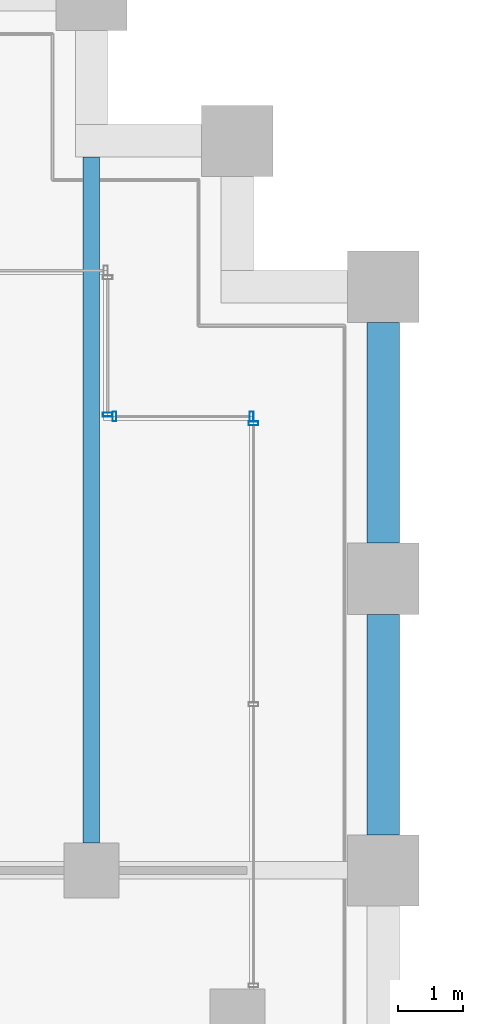
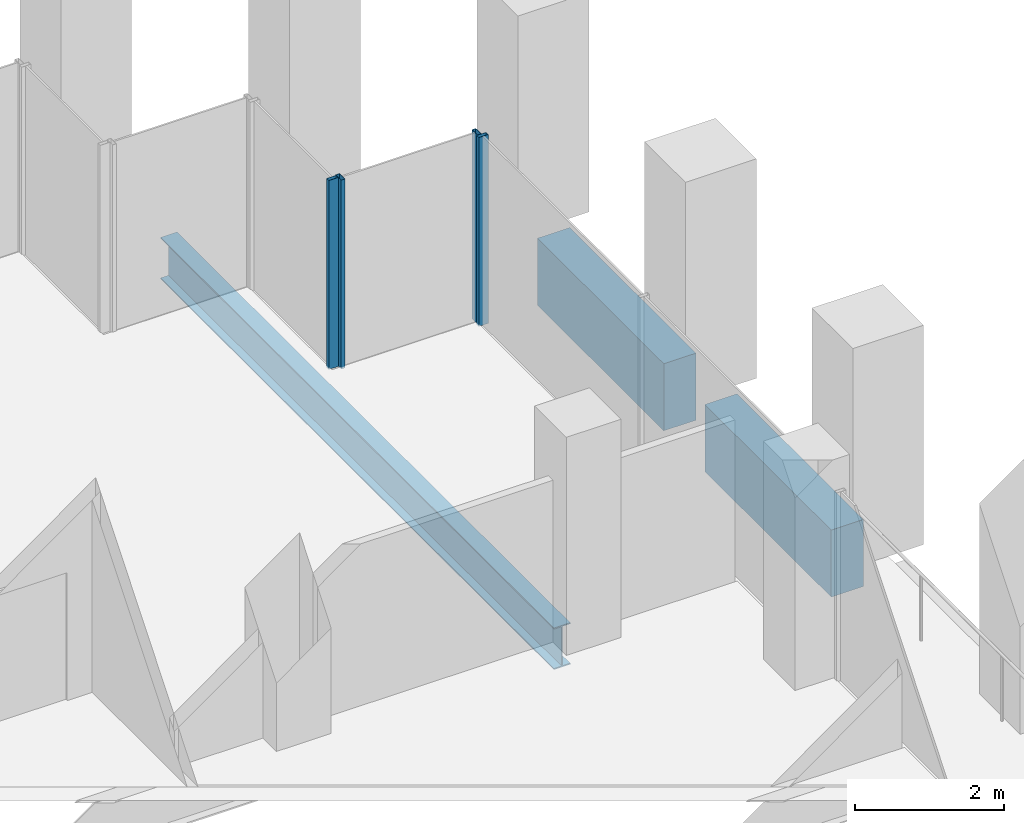
# One storey, part 31 of 56: 4 members, 3 beams, 3 elements without a shape of their own.
"""IFC4 building model written with IfcOpenShell, lengths in metres."""

from ifc_helpers import new_model, si_unit, direction, frame, origin, origin_2d, place, context, subcontext, project, spatial, rectangle, hollow_rectangle, i_section, extrude, material, material_profile, profile_set, type_object, element, aggregate, save


model = new_model("IFC4")

# Units and contexts
model_context = context("Model", 3, precision=1e-05, world=origin(), true_north=direction((0.0, 1.0)))
body_context = subcontext(model_context, "Body", "Model", "MODEL_VIEW")
ifc_project = project(units=[si_unit("LENGTHUNIT", "METRE"), si_unit("AREAUNIT", "SQUARE_METRE"), si_unit("VOLUMEUNIT", "CUBIC_METRE"), si_unit("PLANEANGLEUNIT", "RADIAN"), si_unit("MASSUNIT", "GRAM", prefix="KILO")], contexts=[model_context])

# Site, building, storey
site_placement = place(None, origin())
site = spatial("IfcSite", under=ifc_project, at=site_placement, CompositionType="ELEMENT")
building_placement = place(site_placement, origin())
building = spatial("IfcBuilding", under=site, at=building_placement, Name="Altepetl Exchange Towers", CompositionType="ELEMENT")
storey_placement = place(building_placement, frame((0.0, 0.0, 54.60009765625)))
storey = spatial("IfcBuildingStorey", under=building, at=storey_placement, Name="L12", CompositionType="ELEMENT", Elevation=54.60009765625)

# Beam
ifc_material_1 = material(Name="Steel S355", Category="steel")
ifc_material_profile_1 = material_profile(ifc_material_1, i_section(OverallWidth=0.25390625, OverallDepth=0.68408203125, WebThickness=0.012451171875, FlangeThickness=0.018798828125, at=origin_2d()), Name="W27X94")
ifc_profile_set_1 = profile_set([ifc_material_profile_1], Name="Steel S355")
beam_type_1 = type_object("IfcBeamType", Name="Floor beam W27X94", PredefinedType="BEAM", material=ifc_profile_set_1)
beam_placement = place(storey_placement, frame((67.5, 58.925048828125, -0.4921875), z_axis=(0.0, 1.0, 0.0), x_axis=(-1.0, 0.0, 0.0)))
element("IfcBeam", 1, at=beam_placement, inside=storey, type_object=beam_type_1, Name="bm:A:L12:005", PredefinedType="BEAM", context=body_context, shape_type="SweptSolid", body=[
    extrude(i_section(OverallWidth=0.25390625, OverallDepth=0.68408203125, WebThickness=0.012451171875, FlangeThickness=0.018798828125, at=origin_2d()), origin(), (0.0, 0.0, 1.0), 10.574951171875),
])

# Curtain wall, member
ifc_material_2 = material(Name="Aluminium 6063-T6 glazing", Category="aluminium")
curtain_wall_type = type_object("IfcCurtainWallType", Name="Loggia glazing system", PredefinedType="NOTDEFINED", material=ifc_material_2)
curtain_wall_1_placement = place(storey_placement, origin())
curtain_wall_1 = element("IfcCurtainWall", 2, at=curtain_wall_1_placement, inside=storey, type_object=curtain_wall_type, Name="CW1 run", PredefinedType="NOTDEFINED")
ifc_material_3 = material(Name="Aluminium 6063-T6", Category="aluminium")
ifc_material_profile_2 = material_profile(ifc_material_3, hollow_rectangle(XDim=0.06005859375, YDim=0.14990234375, WallThickness=0.0029296875, at=origin_2d()), Name="Mullion 60x150 aluminium")
ifc_profile_set_2 = profile_set([ifc_material_profile_2], Name="Aluminium 6063-T6")
member_type = type_object("IfcMemberType", Name="Mullion 60x150 aluminium", PredefinedType="MULLION", material=ifc_profile_set_2)
member_1_placement = place(storey_placement, frame((70.0, 65.39501953125, 0.0), z_axis=(0.0, 0.0, 1.0), x_axis=(0.0, 1.0, 0.0)))
member_1 = element("IfcMember", 3, at=member_1_placement, type_object=member_type, Name="MU1 mullion", PredefinedType="MULLION", context=body_context, shape_type="SweptSolid", body=[
    extrude(hollow_rectangle(XDim=0.06005859375, YDim=0.14990234375, WallThickness=0.0029296875, at=origin_2d()), origin(), (0.0, 0.0, 1.0), 3.099853515625),
])
aggregate(curtain_wall_1, [member_1])

# Curtain wall, members
curtain_wall_2_placement = place(storey_placement, origin())
curtain_wall_2 = element("IfcCurtainWall", 4, at=curtain_wall_2_placement, inside=storey, type_object=curtain_wall_type, Name="CW1 run", PredefinedType="NOTDEFINED")
member_2_placement = place(storey_placement, frame((69.969970703125, 65.5, 0.0), z_axis=(0.0, 0.0, 1.0), x_axis=(-1.0, 0.0, 0.0)))
member_2 = element("IfcMember", 5, at=member_2_placement, type_object=member_type, Name="MU1 mullion", PredefinedType="MULLION", context=body_context, shape_type="SweptSolid", body=[
    extrude(hollow_rectangle(XDim=0.06005859375, YDim=0.14990234375, WallThickness=0.0029296875, at=origin_2d()), origin(), (0.0, 0.0, 1.0), 3.099853515625),
])
member_3_placement = place(storey_placement, frame((67.85498046875, 65.5, 0.0), z_axis=(0.0, 0.0, 1.0), x_axis=(-1.0, 0.0, 0.0)))
member_3 = element("IfcMember", 6, at=member_3_placement, type_object=member_type, Name="MU1 mullion", PredefinedType="MULLION", context=body_context, shape_type="SweptSolid", body=[
    extrude(hollow_rectangle(XDim=0.06005859375, YDim=0.14990234375, WallThickness=0.0029296875, at=origin_2d()), origin(), (0.0, 0.0, 1.0), 3.099853515625),
])
aggregate(curtain_wall_2, [member_2, member_3])

# Curtain wall, member
curtain_wall_3_placement = place(storey_placement, origin())
curtain_wall_3 = element("IfcCurtainWall", 7, at=curtain_wall_3_placement, inside=storey, type_object=curtain_wall_type, Name="CW1 run", PredefinedType="NOTDEFINED")
member_4_placement = place(storey_placement, frame((67.75, 65.530029296875, 0.0), z_axis=(0.0, 0.0, 1.0), x_axis=(0.0, 1.0, 0.0)))
member_4 = element("IfcMember", 8, at=member_4_placement, type_object=member_type, Name="MU1 mullion", PredefinedType="MULLION", context=body_context, shape_type="SweptSolid", body=[
    extrude(hollow_rectangle(XDim=0.06005859375, YDim=0.14990234375, WallThickness=0.0029296875, at=origin_2d()), origin(), (0.0, 0.0, 1.0), 3.099853515625),
])
aggregate(curtain_wall_3, [member_4])

# Beams
ifc_material_4 = material(Name="Concrete C50/60 precast with cantera rosa facing", Category="concrete")
ifc_material_profile_3 = material_profile(ifc_material_4, rectangle(XDim=0.5, YDim=1.10009765625, at=origin_2d()), Name="500 x 1100")
ifc_profile_set_3 = profile_set([ifc_material_profile_3], Name="Concrete C50/60 precast with cantera rosa facing")
beam_type_2 = type_object("IfcBeamType", Name="Spandrel beam 500x1100 cantera rosa", PredefinedType="SPANDREL", material=ifc_profile_set_3)
for number, where, z_axis, x_axis, name in (
    (9, (72.0, 59.050048828125, -0.7001953125), (0.0, 1.0, 0.0), (-1.0, 0.0, 0.0), "sp:A:L12:018"),
    (10, (72.0, 63.550048828125, -0.7001953125), (0.0, 1.0, 0.0), (-1.0, 0.0, 0.0), "sp:A:L12:019"),
):
    element("IfcBeam", number, at=place(storey_placement, frame(where, z_axis=z_axis, x_axis=x_axis)), inside=storey, type_object=beam_type_2, Name=name, PredefinedType="SPANDREL", context=body_context, shape_type="SweptSolid", body=[
        extrude(rectangle(XDim=0.5, YDim=1.10009765625, at=origin_2d()), origin(), (0.0, 0.0, 1.0), 3.39990234375),
    ])

save(model, "model.ifc")
